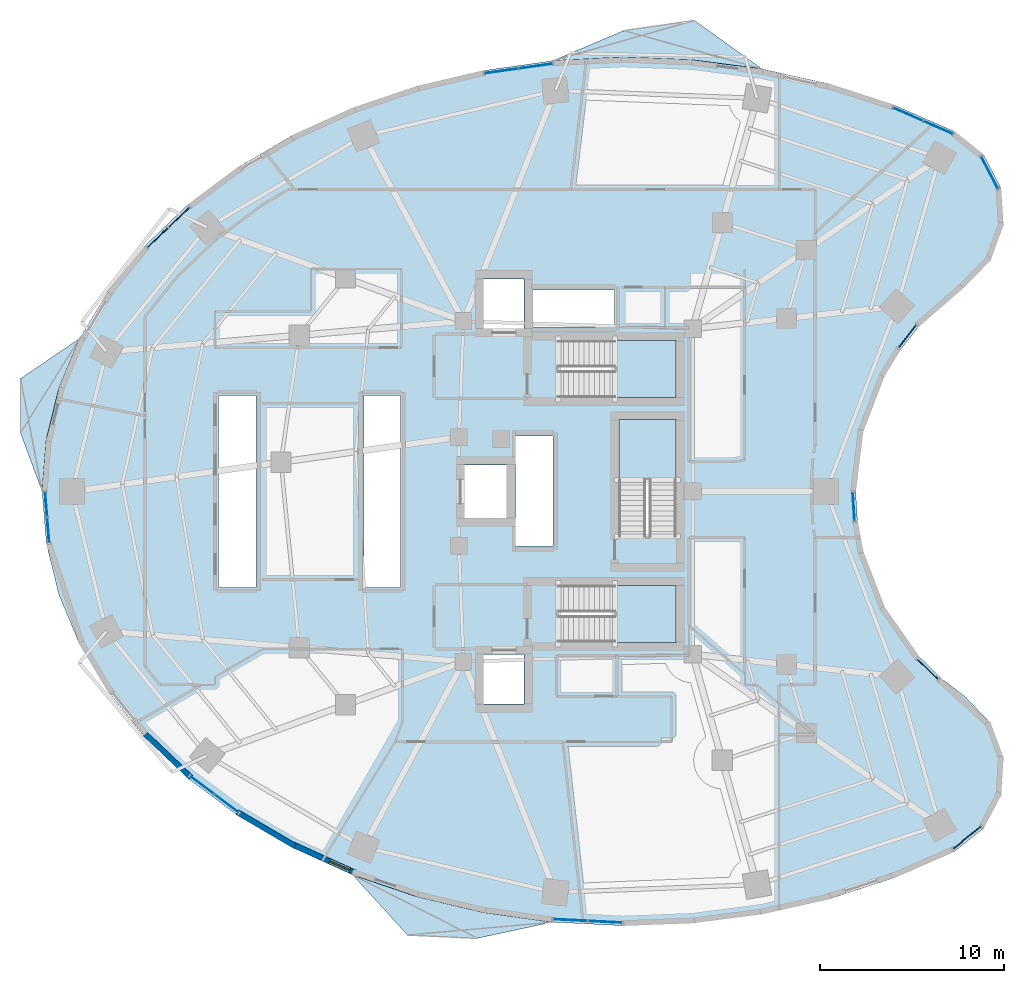
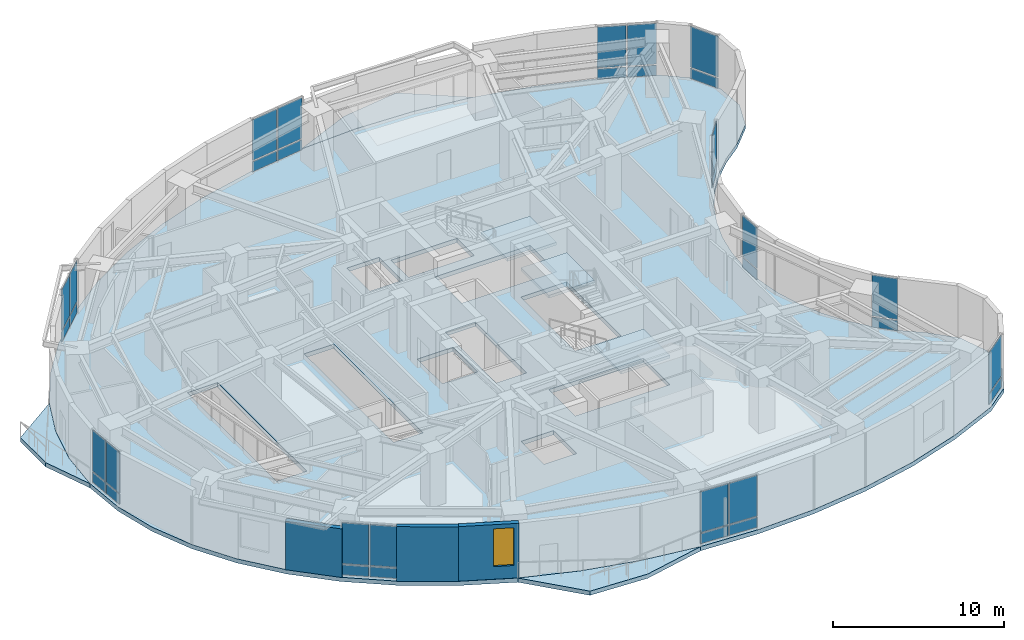
# One storey, part 7 of 15: 34 plates, 7 slabs, 3 walls, 1 window, 1 opening, 14 elements without a shape of their own.
"""IFC4 building model written with IfcOpenShell, lengths in metres."""

from ifc_helpers import new_model, si_unit, direction, frame, frame_2d, origin, origin_2d, place, context, subcontext, project, spatial, polyline, rectangle, outline, extrude, material, layer, layer_set, type_object, element, fill, aggregate, save


model = new_model("IFC4")

# Units and contexts
model_context = context("Model", 3, precision=1e-05, world=origin(), true_north=direction((0.0, 1.0)))
body_context = subcontext(model_context, "Body", "Model", "MODEL_VIEW")
ifc_project = project(units=[si_unit("LENGTHUNIT", "METRE"), si_unit("AREAUNIT", "SQUARE_METRE"), si_unit("VOLUMEUNIT", "CUBIC_METRE"), si_unit("PLANEANGLEUNIT", "RADIAN"), si_unit("MASSUNIT", "GRAM", prefix="KILO")], contexts=[model_context])

# Site, building, storey
site_placement = place(None, origin())
site = spatial("IfcSite", under=ifc_project, at=site_placement, CompositionType="ELEMENT")
building_placement = place(site_placement, origin())
building = spatial("IfcBuilding", under=site, at=building_placement, Name="Korentha Bioscience Tower", CompositionType="ELEMENT")
storey_placement = place(building_placement, frame((0.0, 0.0, 76.199951171875)))
storey = spatial("IfcBuildingStorey", under=building, at=storey_placement, Name="L17", CompositionType="ELEMENT", Elevation=76.199951171875)

# Curtain wall, plates
ifc_material_1 = material(Name="Thermally Broken Aluminium Frame", Category="aluminium")
ifc_layer_1 = layer(ifc_material_1, 0.219970703125, Name="Thermally Broken Aluminium Frame")
ifc_layer_set_1 = layer_set([ifc_layer_1], Name="Thermally Broken Aluminium Frame (CW-T1)")
curtain_wall_type = type_object("IfcCurtainWallType", Name="Standard Bioscience Lab Unitised Curtain Wall CW-T1", PredefinedType="USERDEFINED", material=ifc_layer_set_1)
curtain_wall_1_placement = place(storey_placement, origin())
curtain_wall_1 = element("IfcCurtainWall", 1, at=curtain_wall_1_placement, inside=storey, type_object=curtain_wall_type, Name="L17 Curtain Wall 01", ObjectType="UNITISED", PredefinedType="USERDEFINED")
ifc_material_2 = material(Name="Triple-Glazed Low-E Insulated Glass", Category="glass")
ifc_layer_2 = layer(ifc_material_2, 0.0439453125, Name="Triple-Glazed Low-E Insulated Glass")
ifc_layer_set_2 = layer_set([ifc_layer_2], Name="Triple-Glazed Low-E Insulated Glass (GL-44)")
plate_type = type_object("IfcPlateType", Name="Glazed Panel 44mm", PredefinedType="CURTAIN_PANEL", material=ifc_layer_set_2)
plate_1_placement = place(storey_placement, frame((50.893310546875, 46.780029296875, 0.08984375), z_axis=(0.0, 0.0, 1.0), x_axis=(-0.91593909057, 0.401317308828, 0.0)))
plate_1 = element("IfcPlate", 2, at=plate_1_placement, type_object=plate_type, Name="CW-L17-01 Bay 1 Glazed Panel 1", PredefinedType="CURTAIN_PANEL", context=body_context, shape_type="SweptSolid", body=[
    extrude(rectangle(XDim=1.701171875, YDim=0.0439453125, at=origin_2d()), origin(), (0.0, 0.0, 1.0), 0.715087890625),
])
plate_2_placement = place(storey_placement, frame((50.893310546875, 46.780029296875, 0.89501953125), z_axis=(0.0, 0.0, 1.0), x_axis=(-0.91593909057, 0.401317308828, 0.0)))
plate_2 = element("IfcPlate", 3, at=plate_2_placement, type_object=plate_type, Name="CW-L17-01 Bay 1 Glazed Panel 2", PredefinedType="CURTAIN_PANEL", context=body_context, shape_type="SweptSolid", body=[
    extrude(rectangle(XDim=1.701171875, YDim=0.0439453125, at=origin_2d()), origin(), (0.0, 0.0, 1.0), 2.9150390625),
])
plate_3_placement = place(storey_placement, frame((49.25244140625, 47.498779296875, 0.08984375), z_axis=(0.0, 0.0, 1.0), x_axis=(-0.91593909057, 0.401317308828, 0.0)))
plate_3 = element("IfcPlate", 4, at=plate_3_placement, type_object=plate_type, Name="CW-L17-01 Bay 2 Glazed Panel 1", PredefinedType="CURTAIN_PANEL", context=body_context, shape_type="SweptSolid", body=[
    extrude(rectangle(XDim=1.701171875, YDim=0.0439453125, at=origin_2d()), origin(), (0.0, 0.0, 1.0), 0.715087890625),
])
plate_4_placement = place(storey_placement, frame((49.25244140625, 47.498779296875, 0.89501953125), z_axis=(0.0, 0.0, 1.0), x_axis=(-0.91593909057, 0.401317308828, 0.0)))
plate_4 = element("IfcPlate", 5, at=plate_4_placement, type_object=plate_type, Name="CW-L17-01 Bay 2 Glazed Panel 2", PredefinedType="CURTAIN_PANEL", context=body_context, shape_type="SweptSolid", body=[
    extrude(rectangle(XDim=1.701171875, YDim=0.0439453125, at=origin_2d()), origin(), (0.0, 0.0, 1.0), 2.9150390625),
])
aggregate(curtain_wall_1, [plate_1, plate_2, plate_3, plate_4])

curtain_wall_2_placement = place(storey_placement, origin())
curtain_wall_2 = element("IfcCurtainWall", 6, at=curtain_wall_2_placement, inside=storey, type_object=curtain_wall_type, Name="L17 Curtain Wall 07", ObjectType="UNITISED", PredefinedType="USERDEFINED")
plate_5_placement = place(storey_placement, frame((29.0224609375, 50.11572265625, 0.08984375), z_axis=(0.0, 0.0, 1.0), x_axis=(-0.990167372968, -0.139887717511, 0.0)))
plate_5 = element("IfcPlate", 7, at=plate_5_placement, type_object=plate_type, Name="CW-L17-07 Bay 1 Glazed Panel 1", PredefinedType="CURTAIN_PANEL", context=body_context, shape_type="SweptSolid", body=[
    extrude(rectangle(XDim=1.800537109375, YDim=0.0439453125, at=origin_2d()), origin(), (0.0, 0.0, 1.0), 0.715087890625),
])
plate_6_placement = place(storey_placement, frame((29.0224609375, 50.11572265625, 0.89501953125), z_axis=(0.0, 0.0, 1.0), x_axis=(-0.990167372968, -0.139887717511, 0.0)))
plate_6 = element("IfcPlate", 8, at=plate_6_placement, type_object=plate_type, Name="CW-L17-07 Bay 1 Glazed Panel 2", PredefinedType="CURTAIN_PANEL", context=body_context, shape_type="SweptSolid", body=[
    extrude(rectangle(XDim=1.800537109375, YDim=0.0439453125, at=origin_2d()), origin(), (0.0, 0.0, 1.0), 2.9150390625),
])
plate_7_placement = place(storey_placement, frame((27.150634765625, 49.851318359375, 0.08984375), z_axis=(0.0, 0.0, 1.0), x_axis=(-0.990167372968, -0.139887717511, 0.0)))
plate_7 = element("IfcPlate", 9, at=plate_7_placement, type_object=plate_type, Name="CW-L17-07 Bay 2 Glazed Panel 1", PredefinedType="CURTAIN_PANEL", context=body_context, shape_type="SweptSolid", body=[
    extrude(rectangle(XDim=1.800537109375, YDim=0.0439453125, at=origin_2d()), origin(), (0.0, 0.0, 1.0), 0.715087890625),
])
plate_8_placement = place(storey_placement, frame((27.150634765625, 49.851318359375, 0.89501953125), z_axis=(0.0, 0.0, 1.0), x_axis=(-0.990167372968, -0.139887717511, 0.0)))
plate_8 = element("IfcPlate", 10, at=plate_8_placement, type_object=plate_type, Name="CW-L17-07 Bay 2 Glazed Panel 2", PredefinedType="CURTAIN_PANEL", context=body_context, shape_type="SweptSolid", body=[
    extrude(rectangle(XDim=1.800537109375, YDim=0.0439453125, at=origin_2d()), origin(), (0.0, 0.0, 1.0), 2.9150390625),
])
aggregate(curtain_wall_2, [plate_5, plate_6, plate_7, plate_8])

curtain_wall_3_placement = place(storey_placement, origin())
curtain_wall_3 = element("IfcCurtainWall", 11, at=curtain_wall_3_placement, inside=storey, type_object=curtain_wall_type, Name="L17 Curtain Wall 13", ObjectType="UNITISED", PredefinedType="USERDEFINED")
plate_9_placement = place(storey_placement, frame((9.643798828125, 41.9091796875, 0.08984375), z_axis=(0.0, 0.0, 1.0), x_axis=(-0.723641761581, -0.690175775361, 0.0)))
plate_9 = element("IfcPlate", 12, at=plate_9_placement, type_object=plate_type, Name="CW-L17-13 Bay 1 Glazed Panel 1", PredefinedType="CURTAIN_PANEL", context=body_context, shape_type="SweptSolid", body=[
    extrude(rectangle(XDim=1.5263671875, YDim=0.0439453125, at=origin_2d()), origin(), (0.0, 0.0, 1.0), 0.715087890625),
])
plate_10_placement = place(storey_placement, frame((9.643798828125, 41.9091796875, 0.89501953125), z_axis=(0.0, 0.0, 1.0), x_axis=(-0.723641761581, -0.690175775361, 0.0)))
plate_10 = element("IfcPlate", 13, at=plate_10_placement, type_object=plate_type, Name="CW-L17-13 Bay 1 Glazed Panel 2", PredefinedType="CURTAIN_PANEL", context=body_context, shape_type="SweptSolid", body=[
    extrude(rectangle(XDim=1.5263671875, YDim=0.0439453125, at=origin_2d()), origin(), (0.0, 0.0, 1.0), 2.9150390625),
])
plate_11_placement = place(storey_placement, frame((8.47412109375, 40.793701171875, 0.08984375), z_axis=(0.0, 0.0, 1.0), x_axis=(-0.723641761581, -0.690175775361, 0.0)))
plate_11 = element("IfcPlate", 14, at=plate_11_placement, type_object=plate_type, Name="CW-L17-13 Bay 2 Glazed Panel 1", PredefinedType="CURTAIN_PANEL", context=body_context, shape_type="SweptSolid", body=[
    extrude(rectangle(XDim=1.5263671875, YDim=0.0439453125, at=origin_2d()), origin(), (0.0, 0.0, 1.0), 0.715087890625),
])
plate_12_placement = place(storey_placement, frame((8.47412109375, 40.793701171875, 0.89501953125), z_axis=(0.0, 0.0, 1.0), x_axis=(-0.723641761581, -0.690175775361, 0.0)))
plate_12 = element("IfcPlate", 15, at=plate_12_placement, type_object=plate_type, Name="CW-L17-13 Bay 2 Glazed Panel 2", PredefinedType="CURTAIN_PANEL", context=body_context, shape_type="SweptSolid", body=[
    extrude(rectangle(XDim=1.5263671875, YDim=0.0439453125, at=origin_2d()), origin(), (0.0, 0.0, 1.0), 2.9150390625),
])
aggregate(curtain_wall_3, [plate_9, plate_10, plate_11, plate_12])

curtain_wall_4_placement = place(storey_placement, origin())
curtain_wall_4 = element("IfcCurtainWall", 16, at=curtain_wall_4_placement, inside=storey, type_object=curtain_wall_type, Name="L17 Curtain Wall 19", ObjectType="UNITISED", PredefinedType="USERDEFINED")
plate_13_placement = place(storey_placement, frame((2.4169921875, 26.302734375, 0.08984375), z_axis=(0.0, 0.0, 1.0), x_axis=(0.080820466375, -0.996728675325, 0.0)))
plate_13 = element("IfcPlate", 17, at=plate_13_placement, type_object=plate_type, Name="CW-L17-19 Bay 1 Glazed Panel 1", PredefinedType="CURTAIN_PANEL", context=body_context, shape_type="SweptSolid", body=[
    extrude(rectangle(XDim=1.324951171875, YDim=0.0439453125, at=origin_2d()), origin(), (0.0, 0.0, 1.0), 0.715087890625),
])
plate_14_placement = place(storey_placement, frame((2.4169921875, 26.302734375, 0.89501953125), z_axis=(0.0, 0.0, 1.0), x_axis=(0.080820466375, -0.996728675325, 0.0)))
plate_14 = element("IfcPlate", 18, at=plate_14_placement, type_object=plate_type, Name="CW-L17-19 Bay 1 Glazed Panel 2", PredefinedType="CURTAIN_PANEL", context=body_context, shape_type="SweptSolid", body=[
    extrude(rectangle(XDim=1.324951171875, YDim=0.0439453125, at=origin_2d()), origin(), (0.0, 0.0, 1.0), 2.9150390625),
])
plate_15_placement = place(storey_placement, frame((2.531494140625, 24.892333984375, 0.08984375), z_axis=(0.0, 0.0, 1.0), x_axis=(0.080820466375, -0.996728675325, 0.0)))
plate_15 = element("IfcPlate", 19, at=plate_15_placement, type_object=plate_type, Name="CW-L17-19 Bay 2 Glazed Panel 1", PredefinedType="CURTAIN_PANEL", context=body_context, shape_type="SweptSolid", body=[
    extrude(rectangle(XDim=1.324951171875, YDim=0.0439453125, at=origin_2d()), origin(), (0.0, 0.0, 1.0), 0.715087890625),
])
plate_16_placement = place(storey_placement, frame((2.531494140625, 24.892333984375, 0.89501953125), z_axis=(0.0, 0.0, 1.0), x_axis=(0.080820466375, -0.996728675325, 0.0)))
plate_16 = element("IfcPlate", 20, at=plate_16_placement, type_object=plate_type, Name="CW-L17-19 Bay 2 Glazed Panel 2", PredefinedType="CURTAIN_PANEL", context=body_context, shape_type="SweptSolid", body=[
    extrude(rectangle(XDim=1.324951171875, YDim=0.0439453125, at=origin_2d()), origin(), (0.0, 0.0, 1.0), 2.9150390625),
])
aggregate(curtain_wall_4, [plate_13, plate_14, plate_15, plate_16])

curtain_wall_5_placement = place(storey_placement, origin())
curtain_wall_5 = element("IfcCurtainWall", 21, at=curtain_wall_5_placement, inside=storey, type_object=curtain_wall_type, Name="L17 Curtain Wall 25", ObjectType="UNITISED", PredefinedType="USERDEFINED")
plate_17_placement = place(storey_placement, frame((10.892578125, 11.037109375, 0.08984375), z_axis=(0.0, 0.0, 1.0), x_axis=(0.800797909614, -0.598934644145, 0.0)))
plate_17 = element("IfcPlate", 22, at=plate_17_placement, type_object=plate_type, Name="CW-L17-25 Bay 1 Glazed Panel 1", PredefinedType="CURTAIN_PANEL", context=body_context, shape_type="SweptSolid", body=[
    extrude(rectangle(XDim=1.58544921875, YDim=0.0439453125, at=origin_2d()), origin(), (0.0, 0.0, 1.0), 0.715087890625),
])
plate_18_placement = place(storey_placement, frame((10.892578125, 11.037109375, 0.89501953125), z_axis=(0.0, 0.0, 1.0), x_axis=(0.800797909614, -0.598934644145, 0.0)))
plate_18 = element("IfcPlate", 23, at=plate_18_placement, type_object=plate_type, Name="CW-L17-25 Bay 1 Glazed Panel 2", PredefinedType="CURTAIN_PANEL", context=body_context, shape_type="SweptSolid", body=[
    extrude(rectangle(XDim=1.58544921875, YDim=0.0439453125, at=origin_2d()), origin(), (0.0, 0.0, 1.0), 2.9150390625),
])
plate_19_placement = place(storey_placement, frame((12.234375, 10.033447265625, 0.08984375), z_axis=(0.0, 0.0, 1.0), x_axis=(0.800797909614, -0.598934644145, 0.0)))
plate_19 = element("IfcPlate", 24, at=plate_19_placement, type_object=plate_type, Name="CW-L17-25 Bay 2 Glazed Panel 1", PredefinedType="CURTAIN_PANEL", context=body_context, shape_type="SweptSolid", body=[
    extrude(rectangle(XDim=1.58544921875, YDim=0.0439453125, at=origin_2d()), origin(), (0.0, 0.0, 1.0), 0.715087890625),
])
plate_20_placement = place(storey_placement, frame((12.234375, 10.033447265625, 0.89501953125), z_axis=(0.0, 0.0, 1.0), x_axis=(0.800797909614, -0.598934644145, 0.0)))
plate_20 = element("IfcPlate", 25, at=plate_20_placement, type_object=plate_type, Name="CW-L17-25 Bay 2 Glazed Panel 2", PredefinedType="CURTAIN_PANEL", context=body_context, shape_type="SweptSolid", body=[
    extrude(rectangle(XDim=1.58544921875, YDim=0.0439453125, at=origin_2d()), origin(), (0.0, 0.0, 1.0), 2.9150390625),
])
aggregate(curtain_wall_5, [plate_17, plate_18, plate_19, plate_20])

curtain_wall_6_placement = place(storey_placement, origin())
curtain_wall_6 = element("IfcCurtainWall", 26, at=curtain_wall_6_placement, inside=storey, type_object=curtain_wall_type, Name="L17 Curtain Wall 31", ObjectType="UNITISED", PredefinedType="USERDEFINED")
plate_21_placement = place(storey_placement, frame((30.90478515625, 3.70458984375, 0.08984375), z_axis=(0.0, 0.0, 1.0), x_axis=(0.998730551641, -0.050371472279, 0.0)))
plate_21 = element("IfcPlate", 27, at=plate_21_placement, type_object=plate_type, Name="CW-L17-31 Bay 1 Glazed Panel 1", PredefinedType="CURTAIN_PANEL", context=body_context, shape_type="SweptSolid", body=[
    extrude(rectangle(XDim=1.8134765625, YDim=0.0439453125, at=origin_2d()), origin(), (0.0, 0.0, 1.0), 0.715087890625),
])
plate_22_placement = place(storey_placement, frame((30.90478515625, 3.70458984375, 0.89501953125), z_axis=(0.0, 0.0, 1.0), x_axis=(0.998730551641, -0.050371472279, 0.0)))
plate_22 = element("IfcPlate", 28, at=plate_22_placement, type_object=plate_type, Name="CW-L17-31 Bay 1 Glazed Panel 2", PredefinedType="CURTAIN_PANEL", context=body_context, shape_type="SweptSolid", body=[
    extrude(rectangle(XDim=1.8134765625, YDim=0.0439453125, at=origin_2d()), origin(), (0.0, 0.0, 1.0), 2.9150390625),
])
plate_23_placement = place(storey_placement, frame((32.805908203125, 3.608642578125, 0.08984375), z_axis=(0.0, 0.0, 1.0), x_axis=(0.998730551641, -0.050371472279, 0.0)))
plate_23 = element("IfcPlate", 29, at=plate_23_placement, type_object=plate_type, Name="CW-L17-31 Bay 2 Glazed Panel 1", PredefinedType="CURTAIN_PANEL", context=body_context, shape_type="SweptSolid", body=[
    extrude(rectangle(XDim=1.8134765625, YDim=0.0439453125, at=origin_2d()), origin(), (0.0, 0.0, 1.0), 0.715087890625),
])
plate_24_placement = place(storey_placement, frame((32.805908203125, 3.608642578125, 0.89501953125), z_axis=(0.0, 0.0, 1.0), x_axis=(0.998730551641, -0.050371472279, 0.0)))
plate_24 = element("IfcPlate", 30, at=plate_24_placement, type_object=plate_type, Name="CW-L17-31 Bay 2 Glazed Panel 2", PredefinedType="CURTAIN_PANEL", context=body_context, shape_type="SweptSolid", body=[
    extrude(rectangle(XDim=1.8134765625, YDim=0.0439453125, at=origin_2d()), origin(), (0.0, 0.0, 1.0), 2.9150390625),
])
aggregate(curtain_wall_6, [plate_21, plate_22, plate_23, plate_24])

curtain_wall_7_placement = place(storey_placement, origin())
curtain_wall_7 = element("IfcCurtainWall", 31, at=curtain_wall_7_placement, inside=storey, type_object=curtain_wall_type, Name="L17 Curtain Wall 37", ObjectType="UNITISED", PredefinedType="USERDEFINED")
plate_25_placement = place(storey_placement, frame((52.4755859375, 8.19140625, 0.08984375), z_axis=(0.0, 0.0, 1.0), x_axis=(0.782287851332, 0.62291710336, 0.0)))
plate_25 = element("IfcPlate", 32, at=plate_25_placement, type_object=plate_type, Name="CW-L17-37 Bay 1 Glazed Panel 1", PredefinedType="CURTAIN_PANEL", context=body_context, shape_type="SweptSolid", body=[
    extrude(rectangle(XDim=1.927734375, YDim=0.0439453125, at=origin_2d()), origin(), (0.0, 0.0, 1.0), 0.715087890625),
])
plate_26_placement = place(storey_placement, frame((52.4755859375, 8.19140625, 0.89501953125), z_axis=(0.0, 0.0, 1.0), x_axis=(0.782287851332, 0.62291710336, 0.0)))
plate_26 = element("IfcPlate", 33, at=plate_26_placement, type_object=plate_type, Name="CW-L17-37 Bay 1 Glazed Panel 2", PredefinedType="CURTAIN_PANEL", context=body_context, shape_type="SweptSolid", body=[
    extrude(rectangle(XDim=1.927734375, YDim=0.0439453125, at=origin_2d()), origin(), (0.0, 0.0, 1.0), 2.9150390625),
])
aggregate(curtain_wall_7, [plate_25, plate_26])

curtain_wall_8_placement = place(storey_placement, origin())
curtain_wall_8 = element("IfcCurtainWall", 34, at=curtain_wall_8_placement, inside=storey, type_object=curtain_wall_type, Name="L17 Curtain Wall 43", ObjectType="UNITISED", PredefinedType="USERDEFINED")
plate_27_placement = place(storey_placement, frame((50.333251953125, 17.335693359375, 0.08984375), z_axis=(0.0, 0.0, 1.0), x_axis=(-0.713279246754, 0.700879958445, 0.0)))
plate_27 = element("IfcPlate", 35, at=plate_27_placement, type_object=plate_type, Name="CW-L17-43 Bay 1 Glazed Panel 1", PredefinedType="CURTAIN_PANEL", context=body_context, shape_type="SweptSolid", body=[
    extrude(rectangle(XDim=1.537841796875, YDim=0.0439453125, at=origin_2d()), origin(), (0.0, 0.0, 1.0), 0.715087890625),
])
plate_28_placement = place(storey_placement, frame((50.333251953125, 17.335693359375, 0.89501953125), z_axis=(0.0, 0.0, 1.0), x_axis=(-0.713279246754, 0.700879958445, 0.0)))
plate_28 = element("IfcPlate", 36, at=plate_28_placement, type_object=plate_type, Name="CW-L17-43 Bay 1 Glazed Panel 2", PredefinedType="CURTAIN_PANEL", context=body_context, shape_type="SweptSolid", body=[
    extrude(rectangle(XDim=1.537841796875, YDim=0.0439453125, at=origin_2d()), origin(), (0.0, 0.0, 1.0), 2.9150390625),
])
aggregate(curtain_wall_8, [plate_27, plate_28])

curtain_wall_9_placement = place(storey_placement, origin())
curtain_wall_9 = element("IfcCurtainWall", 37, at=curtain_wall_9_placement, inside=storey, type_object=curtain_wall_type, Name="L17 Curtain Wall 49", ObjectType="UNITISED", PredefinedType="USERDEFINED")
plate_29_placement = place(storey_placement, frame((46.305908203125, 26.1728515625, 0.08984375), z_axis=(0.0, 0.0, 1.0), x_axis=(-0.061008272998, 0.998137260413, 0.0)))
plate_29 = element("IfcPlate", 38, at=plate_29_placement, type_object=plate_type, Name="CW-L17-49 Bay 1 Glazed Panel 1", PredefinedType="CURTAIN_PANEL", context=body_context, shape_type="SweptSolid", body=[
    extrude(rectangle(XDim=1.537841796875, YDim=0.0439453125, at=origin_2d()), origin(), (0.0, 0.0, 1.0), 0.715087890625),
])
plate_30_placement = place(storey_placement, frame((46.305908203125, 26.1728515625, 0.89501953125), z_axis=(0.0, 0.0, 1.0), x_axis=(-0.061008272998, 0.998137260413, 0.0)))
plate_30 = element("IfcPlate", 39, at=plate_30_placement, type_object=plate_type, Name="CW-L17-49 Bay 1 Glazed Panel 2", PredefinedType="CURTAIN_PANEL", context=body_context, shape_type="SweptSolid", body=[
    extrude(rectangle(XDim=1.537841796875, YDim=0.0439453125, at=origin_2d()), origin(), (0.0, 0.0, 1.0), 2.9150390625),
])
aggregate(curtain_wall_9, [plate_29, plate_30])

curtain_wall_10_placement = place(storey_placement, origin())
curtain_wall_10 = element("IfcCurtainWall", 40, at=curtain_wall_10_placement, inside=storey, type_object=curtain_wall_type, Name="L17 Curtain Wall 55", ObjectType="UNITISED", PredefinedType="USERDEFINED")
plate_31_placement = place(storey_placement, frame((49.226318359375, 35.434814453125, 0.08984375), z_axis=(0.0, 0.0, 1.0), x_axis=(0.622520324648, 0.782603632371, 0.0)))
plate_31 = element("IfcPlate", 41, at=plate_31_placement, type_object=plate_type, Name="CW-L17-55 Bay 1 Glazed Panel 1", PredefinedType="CURTAIN_PANEL", context=body_context, shape_type="SweptSolid", body=[
    extrude(rectangle(XDim=1.537841796875, YDim=0.0439453125, at=origin_2d()), origin(), (0.0, 0.0, 1.0), 0.715087890625),
])
plate_32_placement = place(storey_placement, frame((49.226318359375, 35.434814453125, 0.89501953125), z_axis=(0.0, 0.0, 1.0), x_axis=(0.622520324648, 0.782603632371, 0.0)))
plate_32 = element("IfcPlate", 42, at=plate_32_placement, type_object=plate_type, Name="CW-L17-55 Bay 1 Glazed Panel 2", PredefinedType="CURTAIN_PANEL", context=body_context, shape_type="SweptSolid", body=[
    extrude(rectangle(XDim=1.537841796875, YDim=0.0439453125, at=origin_2d()), origin(), (0.0, 0.0, 1.0), 2.9150390625),
])
aggregate(curtain_wall_10, [plate_31, plate_32])

curtain_wall_11_placement = place(storey_placement, origin())
curtain_wall_11 = element("IfcCurtainWall", 43, at=curtain_wall_11_placement, inside=storey, type_object=curtain_wall_type, Name="L17 Curtain Wall 61", ObjectType="UNITISED", PredefinedType="USERDEFINED")
plate_33_placement = place(storey_placement, frame((53.6962890625, 44.32958984375, 0.08984375), z_axis=(0.0, 0.0, 1.0), x_axis=(-0.463008597697, 0.886353788539, 0.0)))
plate_33 = element("IfcPlate", 44, at=plate_33_placement, type_object=plate_type, Name="CW-L17-61 Bay 1 Glazed Panel 1", PredefinedType="CURTAIN_PANEL", context=body_context, shape_type="SweptSolid", body=[
    extrude(rectangle(XDim=1.927734375, YDim=0.0439453125, at=origin_2d()), origin(), (0.0, 0.0, 1.0), 0.715087890625),
])
plate_34_placement = place(storey_placement, frame((53.6962890625, 44.32958984375, 0.89501953125), z_axis=(0.0, 0.0, 1.0), x_axis=(-0.463008597697, 0.886353788539, 0.0)))
plate_34 = element("IfcPlate", 45, at=plate_34_placement, type_object=plate_type, Name="CW-L17-61 Bay 1 Glazed Panel 2", PredefinedType="CURTAIN_PANEL", context=body_context, shape_type="SweptSolid", body=[
    extrude(rectangle(XDim=1.927734375, YDim=0.0439453125, at=origin_2d()), origin(), (0.0, 0.0, 1.0), 2.9150390625),
])
aggregate(curtain_wall_11, [plate_33, plate_34])

# Slab
ifc_material_3 = material(Name="Concrete C50", Category="concrete")
ifc_layer_3 = layer(ifc_material_3, 0.300048828125, Name="Concrete C50")
ifc_layer_set_3 = layer_set([ifc_layer_3], Name="Concrete C50 (SL-L300)")
slab_type_1 = type_object("IfcSlabType", Name="Laboratory Vibration-Controlled Slab 300", PredefinedType="FLOOR", material=ifc_layer_set_3)
slab_1_placement = place(storey_placement, frame((0.0, 0.0, -0.300048828125)))
element("IfcSlab", 46, at=slab_1_placement, inside=storey, type_object=slab_type_1, Name="L17 Tower Structural Floor Slab", PredefinedType="FLOOR", context=body_context, shape_type="SweptSolid", body=[
    extrude(outline(polyline([(51.7822265625, 46.565185546875), (48.49169921875, 48.0068359375), (44.9921875, 49.145263671875), (41.33349609375, 49.9638671875), (37.569091796875, 50.450927734375), (33.75341796875, 50.599365234375), (29.94091796875, 50.406982421875), (26.187255859375, 49.876708984375), (22.54638671875, 49.01611328125), (19.07080078125, 47.837646484375), (15.810791015625, 46.358154296875), (12.8134765625, 44.599365234375), (10.1220703125, 42.58642578125), (7.775390625, 40.348388671875), (5.807373046875, 37.91748046875), (4.246337890625, 35.3291015625), (3.114990234375, 32.62060546875), (2.4296875, 29.830810546875), (2.199951171875, 27.0), (2.4296875, 24.169189453125), (3.114990234375, 21.37939453125), (4.246337890625, 18.6708984375), (5.807373046875, 16.08251953125), (7.775390625, 13.651611328125), (10.1220703125, 11.41357421875), (12.8134765625, 9.400634765625), (15.810791015625, 7.641845703125), (19.07080078125, 6.162353515625), (22.54638671875, 4.98388671875), (26.187255859375, 4.123291015625), (29.94091796875, 3.593017578125), (33.75341796875, 3.400634765625), (37.569091796875, 3.549072265625), (41.33349609375, 4.0361328125), (44.9921875, 4.854736328125), (48.49169921875, 5.9931640625), (51.7822265625, 7.434814453125), (53.368408203125, 8.69775390625), (54.307373046875, 10.4951171875), (54.4384765625, 12.518310546875), (53.739013671875, 14.421630859375), (52.3291015625, 15.878662109375), (51.029541015625, 16.875732421875), (49.861328125, 18.023681640625), (48.841796875, 19.3056640625), (47.98583984375, 20.7021484375), (47.306640625, 22.192626953125), (46.814208984375, 23.754638671875), (46.515625, 25.365234375), (46.415771484375, 27.0), (46.515625, 28.634765625), (46.814208984375, 30.245361328125), (47.306640625, 31.807373046875), (47.98583984375, 33.2978515625), (48.841796875, 34.6943359375), (49.861328125, 35.976318359375), (51.029541015625, 37.124267578125), (52.3291015625, 38.121337890625), (53.739013671875, 39.578369140625), (54.4384765625, 41.481689453125), (54.307373046875, 43.5048828125), (53.368408203125, 45.30224609375), (51.7822265625, 46.565185546875)]), holes=[polyline([(30.25, 32.10009765625), (36.64990234375, 32.10009765625), (36.64990234375, 35.199951171875), (30.25, 35.199951171875), (30.25, 32.10009765625)]), polyline([(30.25, 18.800048828125), (36.64990234375, 18.800048828125), (36.64990234375, 21.89990234375), (30.25, 21.89990234375), (30.25, 18.800048828125)]), polyline([(36.64990234375, 24.550048828125), (36.64990234375, 30.89990234375), (33.550048828125, 30.89990234375), (33.550048828125, 24.550048828125), (36.64990234375, 24.550048828125)]), polyline([(11.780029296875, 21.780029296875), (13.820068359375, 21.780029296875), (13.820068359375, 32.219970703125), (11.780029296875, 32.219970703125), (11.780029296875, 21.780029296875)]), polyline([(19.679931640625, 21.780029296875), (21.669921875, 21.780029296875), (21.669921875, 32.219970703125), (19.679931640625, 32.219970703125), (19.679931640625, 21.780029296875)]), polyline([(27.929931640625, 24.030029296875), (29.969970703125, 24.030029296875), (29.969970703125, 30.02001953125), (27.929931640625, 30.02001953125), (27.929931640625, 24.030029296875)]), polyline([(28.860107421875, 35.93994140625), (33.31005859375, 35.93994140625), (33.31005859375, 37.9599609375), (28.860107421875, 37.9599609375), (28.860107421875, 35.93994140625)]), polyline([(26.199951171875, 15.449951171875), (28.39990234375, 15.449951171875), (28.39990234375, 18.14990234375), (26.199951171875, 18.14990234375), (26.199951171875, 15.449951171875)]), polyline([(26.199951171875, 35.85009765625), (28.39990234375, 35.85009765625), (28.39990234375, 38.550048828125), (26.199951171875, 38.550048828125), (26.199951171875, 35.85009765625)]), polyline([(25.14990234375, 25.550048828125), (27.550048828125, 25.550048828125), (27.550048828125, 28.449951171875), (25.14990234375, 28.449951171875), (25.14990234375, 25.550048828125)])]), origin(), (0.0, 0.0, 1.0), 0.300048828125),
])

# Stair, slab
ifc_material_4 = material(Name="Precast Concrete C50", Category="concrete")
stair_type = type_object("IfcStairType", Name="Core Exit Dog-Leg Stair 1450", PredefinedType="HALF_TURN_STAIR", material=ifc_material_4)
stair_1_placement = place(storey_placement, origin())
stair_1 = element("IfcStair", 47, at=stair_1_placement, inside=storey, type_object=stair_type, Name="L17 Tower North Pressurized Exit Stair ST-1", PredefinedType="HALF_TURN_STAIR")
ifc_layer_4 = layer(ifc_material_3, 0.199951171875, Name="Concrete C50")
ifc_layer_set_4 = layer_set([ifc_layer_4], Name="Concrete C50 (SL-LND)")
slab_type_2 = type_object("IfcSlabType", Name="Landing Slab 200", PredefinedType="LANDING", material=ifc_layer_set_4)
slab_2_placement = place(storey_placement, frame((0.0, 0.0, 1.900146484375)))
slab_2 = element("IfcSlab", 48, at=slab_2_placement, type_object=slab_type_2, Name="ST-1 landing 1", PredefinedType="LANDING", context=body_context, shape_type="SweptSolid", body=[
    extrude(outline(polyline([(33.330078125, 32.10009765625), (36.64990234375, 32.10009765625), (36.64990234375, 35.199951171875), (33.330078125, 35.199951171875), (33.330078125, 32.10009765625)])), origin(), (0.0, 0.0, 1.0), 0.199951171875),
])
aggregate(stair_1, [slab_2])

stair_2_placement = place(storey_placement, origin())
stair_2 = element("IfcStair", 49, at=stair_2_placement, inside=storey, type_object=stair_type, Name="L17 Tower South Pressurized Exit Stair ST-2", PredefinedType="HALF_TURN_STAIR")
slab_3_placement = place(storey_placement, frame((0.0, 0.0, 1.900146484375)))
slab_3 = element("IfcSlab", 50, at=slab_3_placement, type_object=slab_type_2, Name="ST-2 landing 1", PredefinedType="LANDING", context=body_context, shape_type="SweptSolid", body=[
    extrude(outline(polyline([(33.330078125, 18.800048828125), (36.64990234375, 18.800048828125), (36.64990234375, 21.89990234375), (33.330078125, 21.89990234375), (33.330078125, 18.800048828125)])), origin(), (0.0, 0.0, 1.0), 0.199951171875),
])
aggregate(stair_2, [slab_3])

stair_3_placement = place(storey_placement, origin())
stair_3 = element("IfcStair", 51, at=stair_3_placement, inside=storey, type_object=stair_type, Name="L17 Tower Central Pressurized Exit Stair ST-3", PredefinedType="HALF_TURN_STAIR")
slab_4_placement = place(storey_placement, frame((0.0, 0.0, 1.900146484375)))
slab_4 = element("IfcSlab", 52, at=slab_4_placement, type_object=slab_type_2, Name="ST-3 landing 1", PredefinedType="LANDING", context=body_context, shape_type="SweptSolid", body=[
    extrude(outline(polyline([(36.64990234375, 27.6298828125), (36.64990234375, 30.89990234375), (33.550048828125, 30.89990234375), (33.550048828125, 27.6298828125), (36.64990234375, 27.6298828125)])), origin(), (0.0, 0.0, 1.0), 0.199951171875),
])
aggregate(stair_3, [slab_4])

# Slabs
ifc_layer_5 = layer(ifc_material_3, 0.300048828125, Name="Concrete C50")
ifc_layer_set_5 = layer_set([ifc_layer_5], Name="Concrete C50 (BS-240)")
slab_type_3 = type_object("IfcSlabType", Name="Sawtooth Sun-Ledge Balcony Slab 240", PredefinedType="USERDEFINED", material=ifc_layer_set_5)
slab_5_placement = place(storey_placement, frame((0.0, 0.0, -0.300048828125)))
element("IfcSlab", 53, at=slab_5_placement, inside=storey, type_object=slab_type_3, Name="L17 Sun-Ledge Balcony 01", ObjectType="BALCONY", PredefinedType="USERDEFINED", context=body_context, shape_type="SweptSolid", body=[
    extrude(outline(polyline([(29.94091796875, 50.406982421875), (33.75341796875, 50.599365234375), (37.569091796875, 50.450927734375), (41.33349609375, 49.9638671875), (37.65283203125, 52.599365234375), (33.809814453125, 52.048095703125), (29.94091796875, 50.406982421875)])), origin(), (0.0, 0.0, 1.0), 0.300048828125),
])
slab_6_placement = place(storey_placement, frame((0.0, 0.0, -0.300048828125)))
element("IfcSlab", 54, at=slab_6_placement, inside=storey, type_object=slab_type_3, Name="L17 Sun-Ledge Balcony 02", ObjectType="BALCONY", PredefinedType="USERDEFINED", context=body_context, shape_type="SweptSolid", body=[
    extrude(outline(polyline([(2.199951171875, 27.0), (2.4296875, 29.830810546875), (3.114990234375, 32.62060546875), (4.246337890625, 35.3291015625), (1.027099609375, 33.133544921875), (1.021484375, 30.176513671875), (2.199951171875, 27.0)])), origin(), (0.0, 0.0, 1.0), 0.300048828125),
])
slab_7_placement = place(storey_placement, frame((0.0, 0.0, -0.300048828125)))
element("IfcSlab", 55, at=slab_7_placement, inside=storey, type_object=slab_type_3, Name="L17 Sun-Ledge Balcony 03", ObjectType="BALCONY", PredefinedType="USERDEFINED", context=body_context, shape_type="SweptSolid", body=[
    extrude(outline(polyline([(29.94091796875, 3.593017578125), (26.187255859375, 4.123291015625), (22.54638671875, 4.98388671875), (19.07080078125, 6.162353515625), (22.0517578125, 2.8916015625), (25.853759765625, 2.712158203125), (29.94091796875, 3.593017578125)])), origin(), (0.0, 0.0, 1.0), 0.300048828125),
])

# Wall, opening, window
ifc_material_5 = material(Name="Honed Limestone Precast Concrete C40", Category="masonry")
ifc_layer_6 = layer(ifc_material_5, 0.300048828125, Name="Honed Limestone Precast Concrete C40")
ifc_layer_set_6 = layer_set([ifc_layer_6], Name="Honed Limestone Precast Concrete C40 (EW-ST300)")
wall_type = type_object("IfcWallType", Name="Honed Limestone Cavity Spandrel Wall 300", PredefinedType="STANDARD", material=ifc_layer_set_6)
wall_1_placement = place(storey_placement, frame((15.822265625, 7.812255859375, 0.0), z_axis=(0.0, 0.0, 1.0), x_axis=(0.910608120407, -0.413270917254, 0.0)))
wall_1 = element("IfcWall", 56, at=wall_1_placement, inside=storey, type_object=wall_type, Name="L17 Honed Limestone Spandrel Wall 27", PredefinedType="STANDARD", context=body_context, shape_type="SweptSolid", body=[
    extrude(rectangle(XDim=3.699951171875, YDim=0.300048828125, at=frame_2d((1.85009765625, 0.0))), origin(), (0.0, 0.0, 1.0), 3.900146484375),
])
opening_placement = place(wall_1_placement, frame((2.20068359375, 0.0, 0.89990234375)))
opening = element("IfcOpeningElement", 57, at=opening_placement, cuts=wall_1, Name="Opening WN-03", PredefinedType="OPENING", context=body_context, shape_type="SweptSolid", body=[
    extrude(rectangle(XDim=1.199951171875, YDim=2.699951171875, at=frame_2d((0.60009765625, 1.35009765625))), frame((0.0, 0.1650390625, 0.0), z_axis=(0.0, -1.0, 0.0), x_axis=(1.0, 0.0, 0.0)), (0.0, 0.0, 1.0), 0.329833984375),
])
ifc_material_6 = material(Name="Thermally Broken Aluminium Triple Glazing", Category="aluminium")
window_type = type_object("IfcWindowType", Name="Theatre Foyer Tall Ribbon Window 1200x2700", PartitioningType="SINGLE_PANEL", PredefinedType="WINDOW", material=ifc_material_6)
window_placement = place(opening_placement, origin())
window = element("IfcWindow", 58, at=window_placement, inside=storey, type_object=window_type, Name="L17 Facade Window 27", OverallHeight=2.699951171875, OverallWidth=1.199951171875, PartitioningType="SINGLE_PANEL", PredefinedType="WINDOW", context=body_context, shape_type="SweptSolid", body=[
    extrude(rectangle(XDim=1.199951171875, YDim=2.699951171875, at=frame_2d((0.60009765625, 1.35009765625))), frame((0.0, 0.030029296875, 0.0), z_axis=(0.0, -1.0, 0.0), x_axis=(1.0, 0.0, 0.0)), (0.0, 0.0, 1.0), 0.06005859375),
])
fill(opening, window)

# Walls
wall_2_placement = place(storey_placement, frame((7.81396484375, 13.80810546875, 0.0), z_axis=(0.0, 0.0, 1.0), x_axis=(0.72369587847, -0.69011902994, 0.0)))
element("IfcWall", 59, at=wall_2_placement, inside=storey, type_object=wall_type, Name="L17 Limestone Perimeter Closure Wall 24", PredefinedType="STANDARD", context=body_context, shape_type="SweptSolid", body=[
    extrude(rectangle(XDim=3.40283203125, YDim=0.300048828125, at=frame_2d((1.701416015625, 0.0))), origin(), (0.0, 0.0, 1.0), 3.469970703125),
])
wall_3_placement = place(storey_placement, frame((12.8154296875, 9.56201171875, 0.0), z_axis=(0.0, 0.0, 1.0), x_axis=(0.8624654944, -0.506115867139, 0.0)))
element("IfcWall", 60, at=wall_3_placement, inside=storey, type_object=wall_type, Name="L17 Limestone Perimeter Closure Wall 26", PredefinedType="STANDARD", context=body_context, shape_type="SweptSolid", body=[
    extrude(rectangle(XDim=3.63525390625, YDim=0.300048828125, at=frame_2d((1.817626953125, 0.0))), origin(), (0.0, 0.0, 1.0), 3.900146484375),
])

save(model, "model.ifc")
